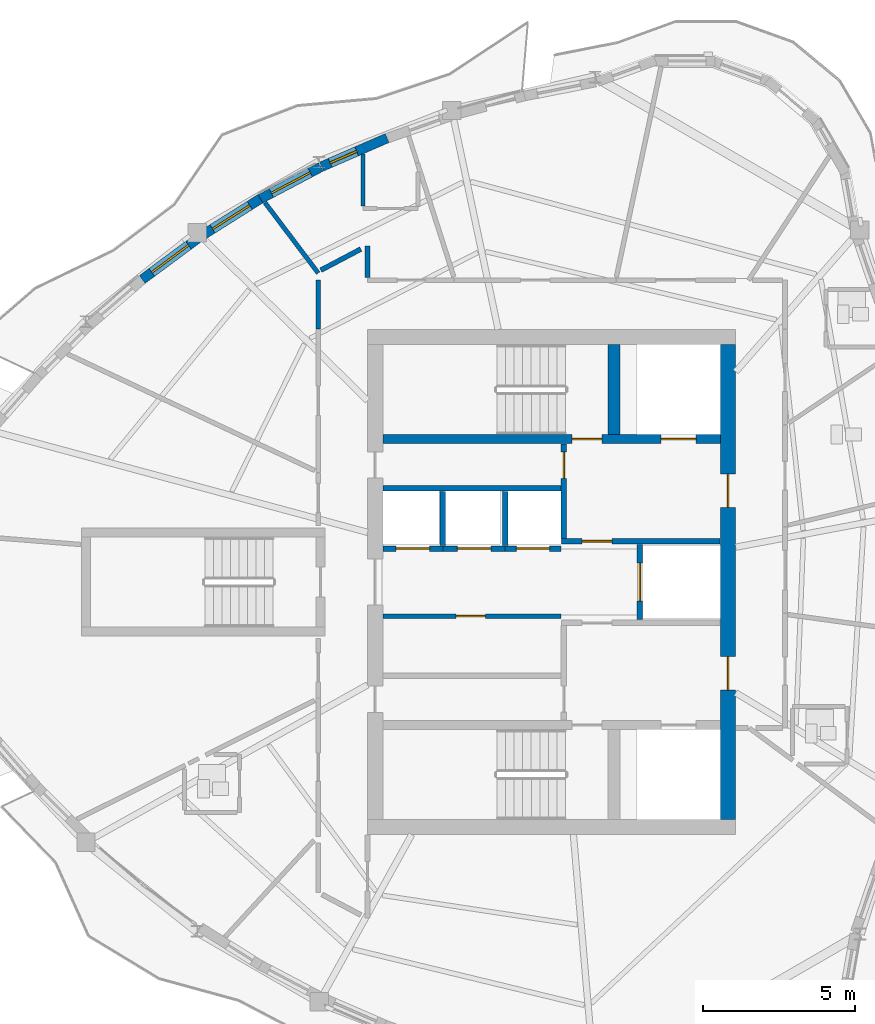
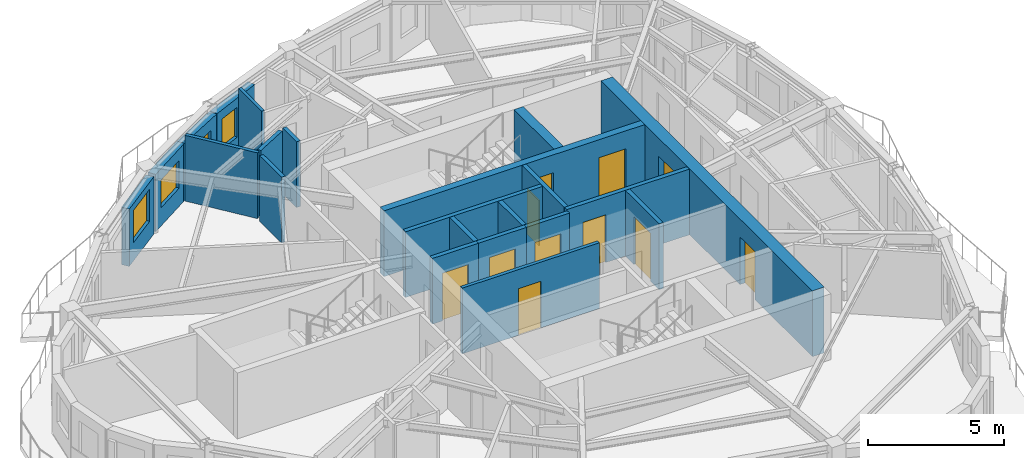
# One storey, part 7 of 13: 22 walls, 11 doors, 4 windows, 15 openings.
"""IFC4 building model written with IfcOpenShell, lengths in metres."""

from ifc_helpers import new_model, si_unit, direction, frame, frame_2d, origin, place, context, subcontext, project, spatial, rectangle, extrude, source, transform, mapped, material, layer, layer_set, type_object, element, fill, save


model = new_model("IFC4")

# Units and contexts
model_context = context("Model", 3, precision=1e-05, world=origin(), true_north=direction((0.0, 1.0)))
body_context = subcontext(model_context, "Body", "Model", "MODEL_VIEW")
ifc_project = project(units=[si_unit("LENGTHUNIT", "METRE"), si_unit("AREAUNIT", "SQUARE_METRE"), si_unit("VOLUMEUNIT", "CUBIC_METRE"), si_unit("PLANEANGLEUNIT", "RADIAN"), si_unit("MASSUNIT", "GRAM", prefix="KILO")], contexts=[model_context])

# Site, building, storey
site_placement = place(None, origin())
site = spatial("IfcSite", under=ifc_project, at=site_placement, CompositionType="ELEMENT")
building_placement = place(site_placement, origin())
building = spatial("IfcBuilding", under=site, at=building_placement, Name="Qafzar Sky-Pleat Residences", CompositionType="ELEMENT")
storey_placement = place(building_placement, frame((0.0, 0.0, 195.60009765625)))
storey = spatial("IfcBuildingStorey", under=building, at=storey_placement, Name="L58", CompositionType="ELEMENT", Elevation=195.60009765625)

# Walls
ifc_material_1 = material(Name="Acoustic gypsum plasterboard partition", Category="gypsum")
ifc_layer_1 = layer(ifc_material_1, 0.159912109375)
ifc_layer_set_1 = layer_set([ifc_layer_1], Name="Acoustic gypsum plasterboard partition")
wall_type_1 = type_object("IfcWallType", Name="PART-COR-160", PredefinedType="PARTITIONING", material=ifc_layer_set_1)
wall_1_placement = place(storey_placement, frame((22.679931640625, 34.31494140625, 0.0), z_axis=(0.0, 0.0, 1.0), x_axis=(0.0, 1.0, 0.0)))
element("IfcWall", 1, at=wall_1_placement, inside=storey, type_object=wall_type_1, Name="L58 Partition Wall PART-L58-PW-038", PredefinedType="PARTITIONING", context=body_context, shape_type="SweptSolid", body=[
    extrude(rectangle(XDim=1.60498046875, YDim=0.159912109375, at=frame_2d((0.802490234375, 0.0))), origin(), (0.0, 0.0, 1.0), 2.9599609375),
])
wall_2_placement = place(storey_placement, frame((22.763671875, 36.248046875, 0.0), z_axis=(0.0, 0.0, 1.0), x_axis=(0.884318813942, 0.466883535059, 0.0)))
element("IfcWall", 2, at=wall_2_placement, inside=storey, type_object=wall_type_1, Name="L58 Partition Wall PART-L58-PW-041", PredefinedType="PARTITIONING", context=body_context, shape_type="SweptSolid", body=[
    extrude(rectangle(XDim=1.486083984375, YDim=0.159912109375, at=frame_2d((0.7431640625, 0.0))), origin(), (0.0, 0.0, 1.0), 2.9599609375),
])
wall_3_placement = place(storey_placement, frame((24.300048828125, 36.008056640625, 0.0), z_axis=(0.0, 0.0, 1.0), x_axis=(0.0, 1.0, 0.0)))
element("IfcWall", 3, at=wall_3_placement, inside=storey, type_object=wall_type_1, Name="L58 Partition Wall PART-L58-PW-047", PredefinedType="PARTITIONING", context=body_context, shape_type="SweptSolid", body=[
    extrude(rectangle(XDim=1.031005859375, YDim=0.159912109375, at=frame_2d((0.515625, 0.0))), origin(), (0.0, 0.0, 1.0), 2.9599609375),
])

# Wall, opening, door
ifc_material_2 = material(Name="Concrete blockwork partition", Category="masonry")
ifc_layer_2 = layer(ifc_material_2, 0.179931640625)
ifc_layer_set_2 = layer_set([ifc_layer_2], Name="Concrete blockwork partition")
wall_type_2 = type_object("IfcWallType", Name="PART-SHAFT-180", PredefinedType="PARTITIONING", material=ifc_layer_set_2)
wall_4_placement = place(storey_placement, frame((30.75, 27.429931640625, 0.0), z_axis=(0.0, 0.0, 1.0), x_axis=(0.0, 1.0, 0.0)))
wall_4 = element("IfcWall", 4, at=wall_4_placement, inside=storey, type_object=wall_type_2, Name="L58 Partition Wall PART-L58-FFL2-W", PredefinedType="PARTITIONING", context=body_context, shape_type="SweptSolid", body=[
    extrude(rectangle(XDim=3.110107421875, YDim=0.179931640625, at=frame_2d((1.55517578125, 0.0))), origin(), (0.0, 0.0, 1.0), 2.9599609375),
])
opening_1_placement = place(wall_4_placement, frame((1.97998046875, 0.0, 0.0)))
opening_1 = element("IfcOpeningElement", 5, at=opening_1_placement, cuts=wall_4, Name="Opening ID-09", PredefinedType="OPENING", context=body_context, shape_type="SweptSolid", body=[
    extrude(rectangle(XDim=0.860107421875, YDim=2.050048828125, at=frame_2d((0.43017578125, 1.02490234375))), frame((0.0, 0.10009765625, 0.0), z_axis=(0.0, -1.0, 0.0), x_axis=(1.0, 0.0, 0.0)), (0.0, 0.0, 1.0), 0.199951171875),
])
ifc_material_3 = material(Name="Timber-faced fire door", Category="wood")
door_type_1 = type_object("IfcDoorType", Name="DR-SVC-860", OperationType="NOTDEFINED", PredefinedType="DOOR", material=ifc_material_3)
shared_shape_1 = source(origin(), body_context, "Body", "SweptSolid", [
    extrude(rectangle(XDim=0.860107421875, YDim=2.050048828125, at=frame_2d((0.43017578125, 1.02490234375))), frame((0.0, 0.02490234375, 0.0), z_axis=(0.0, -1.0, 0.0), x_axis=(1.0, 0.0, 0.0)), (0.0, 0.0, 1.0), 0.050048828125),
])
door_1_placement = place(opening_1_placement, origin())
door_1 = element("IfcDoor", 6, at=door_1_placement, inside=storey, type_object=door_type_1, Name="L58 North Core Cupboard Door", OperationType="SINGLE_SWING_LEFT", OverallHeight=2.050048828125, OverallWidth=0.860107421875, PredefinedType="DOOR", context=body_context, shape_type="MappedRepresentation", body=[
    mapped(shared_shape_1, transform((0.0, 0.0, 0.0), x_axis=(1.0, 0.0, 0.0), y_axis=(0.0, 1.0, 0.0), z_axis=(0.0, 0.0, 1.0), scale=1.0)),
])
fill(opening_1, door_1)

wall_5_placement = place(storey_placement, frame((30.669921875, 27.340087890625, 0.0), z_axis=(0.0, 0.0, 1.0), x_axis=(1.0, 0.0, 0.0)))
wall_5 = element("IfcWall", 7, at=wall_5_placement, inside=storey, type_object=wall_type_2, Name="L58 Partition Wall PART-L58-FFL2-S", PredefinedType="PARTITIONING", context=body_context, shape_type="SweptSolid", body=[
    extrude(rectangle(XDim=5.219970703125, YDim=0.179931640625, at=frame_2d((2.60986328125, 0.0))), origin(), (0.0, 0.0, 1.0), 2.9599609375),
])
opening_2_placement = place(wall_5_placement, frame((0.679931640625, 0.0, 0.0)))
opening_2 = element("IfcOpeningElement", 8, at=opening_2_placement, cuts=wall_5, Name="Opening ID-01", PredefinedType="OPENING", context=body_context, shape_type="SweptSolid", body=[
    extrude(rectangle(XDim=0.97998046875, YDim=2.14990234375, at=frame_2d((0.489990234375, 1.074951171875))), frame((0.0, 0.10009765625, 0.0), z_axis=(0.0, -1.0, 0.0), x_axis=(1.0, 0.0, 0.0)), (0.0, 0.0, 1.0), 0.199951171875),
])
door_type_2 = type_object("IfcDoorType", Name="DR-STAIR-980", OperationType="NOTDEFINED", PredefinedType="DOOR", material=ifc_material_3)
shared_shape_2 = source(origin(), body_context, "Body", "SweptSolid", [
    extrude(rectangle(XDim=0.97998046875, YDim=2.14990234375, at=frame_2d((0.489990234375, 1.074951171875))), frame((0.0, 0.02490234375, 0.0), z_axis=(0.0, -1.0, 0.0), x_axis=(1.0, 0.0, 0.0)), (0.0, 0.0, 1.0), 0.050048828125),
])
door_2_placement = place(opening_2_placement, origin())
door_2 = element("IfcDoor", 9, at=door_2_placement, inside=storey, type_object=door_type_2, Name="L58 Lift Lobby to North Firefighting Lobby Door", OperationType="SINGLE_SWING_RIGHT", OverallHeight=2.14990234375, OverallWidth=0.97998046875, PredefinedType="DOOR", context=body_context, shape_type="MappedRepresentation", body=[
    mapped(shared_shape_2, transform((0.0, 0.0, 0.0), x_axis=(1.0, 0.0, 0.0), y_axis=(0.0, 1.0, 0.0), z_axis=(0.0, 0.0, 1.0), scale=1.0)),
])
fill(opening_2, door_2)

wall_6_placement = place(storey_placement, frame((33.25, 24.760009765625, 0.0), z_axis=(0.0, 0.0, 1.0), x_axis=(0.0, 1.0, 0.0)))
wall_6 = element("IfcWall", 10, at=wall_6_placement, inside=storey, type_object=wall_type_2, Name="L58 Partition Wall PART-L58-SV1-W", PredefinedType="PARTITIONING", context=body_context, shape_type="SweptSolid", body=[
    extrude(rectangle(XDim=2.47998046875, YDim=0.179931640625, at=frame_2d((1.239990234375, 0.0))), origin(), (0.0, 0.0, 1.0), 2.9599609375),
])
opening_3_placement = place(wall_6_placement, frame((0.614990234375, 0.0, 0.0)))
opening_3 = element("IfcOpeningElement", 11, at=opening_3_placement, cuts=wall_6, Name="Opening LD-03", PredefinedType="OPENING", context=body_context, shape_type="SweptSolid", body=[
    extrude(rectangle(XDim=1.25, YDim=2.14990234375, at=frame_2d((0.625, 1.074951171875))), frame((0.0, 0.10009765625, 0.0), z_axis=(0.0, -1.0, 0.0), x_axis=(1.0, 0.0, 0.0)), (0.0, 0.0, 1.0), 0.199951171875),
])
ifc_material_4 = material(Name="Stainless steel sliding landing door", Category="steel")
door_type_3 = type_object("IfcDoorType", Name="DR-LIFT-SV", OperationType="DOUBLE_DOOR_SLIDING", PredefinedType="DOOR", material=ifc_material_4)
shared_shape_3 = source(origin(), body_context, "Body", "SweptSolid", [
    extrude(rectangle(XDim=1.25, YDim=2.14990234375, at=frame_2d((0.625, 1.074951171875))), frame((0.0, 0.02490234375, 0.0), z_axis=(0.0, -1.0, 0.0), x_axis=(1.0, 0.0, 0.0)), (0.0, 0.0, 1.0), 0.050048828125),
])
door_3_placement = place(opening_3_placement, origin())
door_3 = element("IfcDoor", 12, at=door_3_placement, inside=storey, type_object=door_type_3, Name="L58 Service Lift SV1 Landing Door", OperationType="DOUBLE_DOOR_SLIDING", OverallHeight=2.14990234375, OverallWidth=1.25, PredefinedType="DOOR", context=body_context, shape_type="MappedRepresentation", body=[
    mapped(shared_shape_3, transform((0.0, 0.0, 0.0), x_axis=(1.0, 0.0, 0.0), y_axis=(0.0, 1.0, 0.0), z_axis=(0.0, 0.0, 1.0), scale=1.0)),
])
fill(opening_3, door_3)

# Wall
wall_7_placement = place(storey_placement, frame((24.81005859375, 29.080078125, 0.0), z_axis=(0.0, 0.0, 1.0), x_axis=(1.0, 0.0, 0.0)))
element("IfcWall", 13, at=wall_7_placement, inside=storey, type_object=wall_type_2, Name="L58 Partition Wall PART-L58-P46-N", PredefinedType="PARTITIONING", context=body_context, shape_type="SweptSolid", body=[
    extrude(rectangle(XDim=5.83984375, YDim=0.179931640625, at=frame_2d((2.919921875, 0.0))), origin(), (0.0, 0.0, 1.0), 2.9599609375),
])

# Wall, opening, door
wall_8_placement = place(storey_placement, frame((24.81005859375, 27.10009765625, 0.0), z_axis=(0.0, 0.0, 1.0), x_axis=(1.0, 0.0, 0.0)))
wall_8 = element("IfcWall", 14, at=wall_8_placement, inside=storey, type_object=wall_type_2, Name="L58 Partition Wall PART-L58-P4-S", PredefinedType="PARTITIONING", context=body_context, shape_type="SweptSolid", body=[
    extrude(rectangle(XDim=1.96484375, YDim=0.179931640625, at=frame_2d((0.982421875, 0.0))), origin(), (0.0, 0.0, 1.0), 2.9599609375),
])
opening_4_placement = place(wall_8_placement, frame((0.4326171875, 0.0, 0.0)))
opening_4 = element("IfcOpeningElement", 15, at=opening_4_placement, cuts=wall_8, Name="Opening LD-01", PredefinedType="OPENING", context=body_context, shape_type="SweptSolid", body=[
    extrude(rectangle(XDim=1.10009765625, YDim=2.14990234375, at=frame_2d((0.550048828125, 1.074951171875))), frame((0.0, 0.10009765625, 0.0), z_axis=(0.0, -1.0, 0.0), x_axis=(1.0, 0.0, 0.0)), (0.0, 0.0, 1.0), 0.199951171875),
])
door_type_4 = type_object("IfcDoorType", Name="DR-LIFT-P", OperationType="DOUBLE_DOOR_SLIDING", PredefinedType="DOOR", material=ifc_material_4)
shared_shape_4 = source(origin(), body_context, "Body", "SweptSolid", [
    extrude(rectangle(XDim=1.10009765625, YDim=2.14990234375, at=frame_2d((0.550048828125, 1.074951171875))), frame((0.0, 0.02490234375, 0.0), z_axis=(0.0, -1.0, 0.0), x_axis=(1.0, 0.0, 0.0)), (0.0, 0.0, 1.0), 0.050048828125),
])
door_4_placement = place(opening_4_placement, origin())
door_4 = element("IfcDoor", 16, at=door_4_placement, inside=storey, type_object=door_type_4, Name="L58 Passenger Lift P4 Landing Door", OperationType="DOUBLE_DOOR_SLIDING", OverallHeight=2.14990234375, OverallWidth=1.10009765625, PredefinedType="DOOR", context=body_context, shape_type="MappedRepresentation", body=[
    mapped(shared_shape_4, transform((0.0, 0.0, 0.0), x_axis=(1.0, 0.0, 0.0), y_axis=(0.0, 1.0, 0.0), z_axis=(0.0, 0.0, 1.0), scale=1.0)),
])
fill(opening_4, door_4)

wall_9_placement = place(storey_placement, frame((26.77490234375, 27.10009765625, 0.0), z_axis=(0.0, 0.0, 1.0), x_axis=(1.0, 0.0, 0.0)))
wall_9 = element("IfcWall", 17, at=wall_9_placement, inside=storey, type_object=wall_type_2, Name="L58 Partition Wall PART-L58-P5-S", PredefinedType="PARTITIONING", context=body_context, shape_type="SweptSolid", body=[
    extrude(rectangle(XDim=2.050048828125, YDim=0.179931640625, at=frame_2d((1.02490234375, 0.0))), origin(), (0.0, 0.0, 1.0), 2.9599609375),
])
opening_5_placement = place(wall_9_placement, frame((0.47509765625, 0.0, 0.0)))
opening_5 = element("IfcOpeningElement", 18, at=opening_5_placement, cuts=wall_9, Name="Opening LD-01", PredefinedType="OPENING", context=body_context, shape_type="SweptSolid", body=[
    extrude(rectangle(XDim=1.10009765625, YDim=2.14990234375, at=frame_2d((0.550048828125, 1.074951171875))), frame((0.0, 0.10009765625, 0.0), z_axis=(0.0, -1.0, 0.0), x_axis=(1.0, 0.0, 0.0)), (0.0, 0.0, 1.0), 0.199951171875),
])
door_5_placement = place(opening_5_placement, origin())
door_5 = element("IfcDoor", 19, at=door_5_placement, inside=storey, type_object=door_type_4, Name="L58 Passenger Lift P5 Landing Door", OperationType="DOUBLE_DOOR_SLIDING", OverallHeight=2.14990234375, OverallWidth=1.10009765625, PredefinedType="DOOR", context=body_context, shape_type="MappedRepresentation", body=[
    mapped(shared_shape_4, transform((0.0, 0.0, 0.0), x_axis=(1.0, 0.0, 0.0), y_axis=(0.0, 1.0, 0.0), z_axis=(0.0, 0.0, 1.0), scale=1.0)),
])
fill(opening_5, door_5)

# Wall
wall_10_placement = place(storey_placement, frame((26.77490234375, 27.199951171875, 0.0), z_axis=(0.0, 0.0, 1.0), x_axis=(0.0, 1.0, 0.0)))
element("IfcWall", 20, at=wall_10_placement, inside=storey, type_object=wall_type_2, Name="L58 Partition Wall PART-L58-P46-DIV-1", PredefinedType="PARTITIONING", context=body_context, shape_type="SweptSolid", body=[
    extrude(rectangle(XDim=1.780029296875, YDim=0.179931640625, at=frame_2d((0.89013671875, 0.0))), origin(), (0.0, 0.0, 1.0), 2.9599609375),
])

# Wall, opening, door
wall_11_placement = place(storey_placement, frame((28.824951171875, 27.10009765625, 0.0), z_axis=(0.0, 0.0, 1.0), x_axis=(1.0, 0.0, 0.0)))
wall_11 = element("IfcWall", 21, at=wall_11_placement, inside=storey, type_object=wall_type_2, Name="L58 Partition Wall PART-L58-P6-S", PredefinedType="PARTITIONING", context=body_context, shape_type="SweptSolid", body=[
    extrude(rectangle(XDim=1.824951171875, YDim=0.179931640625, at=frame_2d((0.91259765625, 0.0))), origin(), (0.0, 0.0, 1.0), 2.9599609375),
])
opening_6_placement = place(wall_11_placement, frame((0.362548828125, 0.0, 0.0)))
opening_6 = element("IfcOpeningElement", 22, at=opening_6_placement, cuts=wall_11, Name="Opening LD-01", PredefinedType="OPENING", context=body_context, shape_type="SweptSolid", body=[
    extrude(rectangle(XDim=1.10009765625, YDim=2.14990234375, at=frame_2d((0.550048828125, 1.074951171875))), frame((0.0, 0.10009765625, 0.0), z_axis=(0.0, -1.0, 0.0), x_axis=(1.0, 0.0, 0.0)), (0.0, 0.0, 1.0), 0.199951171875),
])
door_6_placement = place(opening_6_placement, origin())
door_6 = element("IfcDoor", 23, at=door_6_placement, inside=storey, type_object=door_type_4, Name="L58 Passenger Lift P6 Landing Door", OperationType="DOUBLE_DOOR_SLIDING", OverallHeight=2.14990234375, OverallWidth=1.10009765625, PredefinedType="DOOR", context=body_context, shape_type="MappedRepresentation", body=[
    mapped(shared_shape_4, transform((0.0, 0.0, 0.0), x_axis=(1.0, 0.0, 0.0), y_axis=(0.0, 1.0, 0.0), z_axis=(0.0, 0.0, 1.0), scale=1.0)),
])
fill(opening_6, door_6)

# Wall
wall_12_placement = place(storey_placement, frame((28.824951171875, 27.199951171875, 0.0), z_axis=(0.0, 0.0, 1.0), x_axis=(0.0, 1.0, 0.0)))
element("IfcWall", 24, at=wall_12_placement, inside=storey, type_object=wall_type_2, Name="L58 Partition Wall PART-L58-P46-DIV-2", PredefinedType="PARTITIONING", context=body_context, shape_type="SweptSolid", body=[
    extrude(rectangle(XDim=1.780029296875, YDim=0.179931640625, at=frame_2d((0.89013671875, 0.0))), origin(), (0.0, 0.0, 1.0), 2.9599609375),
])

# Wall, opening, door
ifc_layer_3 = layer(ifc_material_1, 0.14501953125)
ifc_layer_set_3 = layer_set([ifc_layer_3], Name="Acoustic gypsum plasterboard partition")
wall_type_3 = type_object("IfcWallType", Name="PART-UNIT-145", PredefinedType="PARTITIONING", material=ifc_layer_set_3)
wall_13_placement = place(storey_placement, frame((24.81005859375, 24.8798828125, 0.0), z_axis=(0.0, 0.0, 1.0), x_axis=(1.0, 0.0, 0.0)))
wall_13 = element("IfcWall", 25, at=wall_13_placement, inside=storey, type_object=wall_type_3, Name="L58 Partition Wall PART-L58-RECLAIM-N", PredefinedType="PARTITIONING", context=body_context, shape_type="SweptSolid", body=[
    extrude(rectangle(XDim=5.83984375, YDim=0.14501953125, at=frame_2d((2.919921875, 0.0))), origin(), (0.0, 0.0, 1.0), 2.9599609375),
])
opening_7_placement = place(wall_13_placement, frame((2.39990234375, 0.0, 0.0)))
opening_7 = element("IfcOpeningElement", 26, at=opening_7_placement, cuts=wall_13, Name="Opening ID-06", PredefinedType="OPENING", context=body_context, shape_type="SweptSolid", body=[
    extrude(rectangle(XDim=0.9599609375, YDim=2.10009765625, at=frame_2d((0.47998046875, 1.050048828125))), frame((0.0, 0.08251953125, 0.0), z_axis=(0.0, -1.0, 0.0), x_axis=(1.0, 0.0, 0.0)), (0.0, 0.0, 1.0), 0.1650390625),
])
door_type_5 = type_object("IfcDoorType", Name="DR-STD-960", OperationType="NOTDEFINED", PredefinedType="DOOR", material=ifc_material_3)
shared_shape_5 = source(origin(), body_context, "Body", "SweptSolid", [
    extrude(rectangle(XDim=0.9599609375, YDim=2.10009765625, at=frame_2d((0.47998046875, 1.050048828125))), frame((0.0, 0.02490234375, 0.0), z_axis=(0.0, -1.0, 0.0), x_axis=(1.0, 0.0, 0.0)), (0.0, 0.0, 1.0), 0.050048828125),
])
door_7_placement = place(opening_7_placement, origin())
door_7 = element("IfcDoor", 27, at=door_7_placement, inside=storey, type_object=door_type_5, Name="L58 Reclaimed Resident Laundry Room Door", OperationType="SINGLE_SWING_LEFT", OverallHeight=2.10009765625, OverallWidth=0.9599609375, PredefinedType="DOOR", context=body_context, shape_type="MappedRepresentation", body=[
    mapped(shared_shape_5, transform((0.0, 0.0, 0.0), x_axis=(1.0, 0.0, 0.0), y_axis=(0.0, 1.0, 0.0), z_axis=(0.0, 0.0, 1.0), scale=1.0)),
])
fill(opening_7, door_7)

# Walls
wall_14_placement = place(storey_placement, frame((20.928955078125, 38.469482421875, 0.0), z_axis=(0.0, 0.0, 1.0), x_axis=(0.602847358209, -0.797856542682, 0.0)))
element("IfcWall", 28, at=wall_14_placement, inside=storey, type_object=wall_type_3, Name="L58 Partition Wall PART-L58-PW-029", PredefinedType="PARTITIONING", context=body_context, shape_type="SweptSolid", body=[
    extrude(rectangle(XDim=2.904541015625, YDim=0.14501953125, at=frame_2d((1.4521484375, 0.0))), origin(), (0.0, 0.0, 1.0), 2.9599609375),
])
ifc_material_5 = material(Name="Moisture-resistant gypsum partition", Category="gypsum")
ifc_layer_4 = layer(ifc_material_5, 0.1298828125)
ifc_layer_set_4 = layer_set([ifc_layer_4], Name="Moisture-resistant gypsum partition")
wall_type_4 = type_object("IfcWallType", Name="PART-WET-130", PredefinedType="PARTITIONING", material=ifc_layer_set_4)
wall_15_placement = place(storey_placement, frame((24.154052734375, 38.35498046875, 0.0), z_axis=(0.0, 0.0, 1.0), x_axis=(0.0, 1.0, 0.0)))
element("IfcWall", 29, at=wall_15_placement, inside=storey, type_object=wall_type_4, Name="L58 Partition Wall PART-L58-PW-031", PredefinedType="PARTITIONING", context=body_context, shape_type="SweptSolid", body=[
    extrude(rectangle(XDim=1.705078125, YDim=0.1298828125, at=frame_2d((0.8525390625, 0.0))), origin(), (0.0, 0.0, 1.0), 2.9599609375),
])

# Wall, opening, window
ifc_material_6 = material(Name="Precast concrete C40/50 with honed Riyadh limestone", Category="concrete")
ifc_layer_5 = layer(ifc_material_6, 0.320068359375)
ifc_layer_set_5 = layer_set([ifc_layer_5], Name="Precast concrete C40/50 with honed Riyadh limestone")
wall_type_5 = type_object("IfcWallType", Name="WALL-EXT-320", PredefinedType="SOLIDWALL", material=ifc_layer_set_5)
wall_16_placement = place(storey_placement, frame((24.943359375, 40.589599609375, 0.0), z_axis=(0.0, 0.0, 1.0), x_axis=(-0.917071710038, -0.398722307688, 0.0)))
wall_16 = element("IfcWall", 30, at=wall_16_placement, inside=storey, type_object=wall_type_5, Name="L58 Limestone Facade Wall 42", PredefinedType="SOLIDWALL", context=body_context, shape_type="SweptSolid", body=[
    extrude(rectangle(XDim=2.346923828125, YDim=0.320068359375, at=frame_2d((1.17333984375, 0.0))), origin(), (0.0, 0.0, 1.0), 2.579833984375),
])
opening_8_placement = place(wall_16_placement, frame((1.09130859375, 0.0, 0.820068359375)))
opening_8 = element("IfcOpeningElement", 31, at=opening_8_placement, cuts=wall_16, Name="Opening WN-12", PredefinedType="OPENING", context=body_context, shape_type="SweptSolid", body=[
    extrude(rectangle(XDim=0.949951171875, YDim=1.35009765625, at=frame_2d((0.47509765625, 0.675048828125))), frame((0.0, 0.169921875, 0.0), z_axis=(0.0, -1.0, 0.0), x_axis=(1.0, 0.0, 0.0)), (0.0, 0.0, 1.0), 0.340087890625),
])
ifc_material_7 = material(Name="Solar-control low-E glass in bronze aluminium frame", Category="glass")
window_type_1 = type_object("IfcWindowType", Name="WIN-12", PartitioningType="SINGLE_PANEL", PredefinedType="WINDOW", material=ifc_material_7)
shared_shape_6 = source(origin(), body_context, "Body", "SweptSolid", [
    extrude(rectangle(XDim=0.949951171875, YDim=1.35009765625, at=frame_2d((0.47509765625, 0.675048828125))), frame((0.0, 0.030029296875, 0.0), z_axis=(0.0, -1.0, 0.0), x_axis=(1.0, 0.0, 0.0)), (0.0, 0.0, 1.0), 0.06005859375),
])
window_1_placement = place(opening_8_placement, origin())
window_1 = element("IfcWindow", 32, at=window_1_placement, inside=storey, type_object=window_type_1, Name="L58 Punched Facade Window 42-2", OverallHeight=1.35009765625, OverallWidth=0.949951171875, PartitioningType="SINGLE_PANEL", PredefinedType="WINDOW", context=body_context, shape_type="MappedRepresentation", body=[
    mapped(shared_shape_6, transform((0.0, 0.0, 0.0), x_axis=(1.0, 0.0, 0.0), y_axis=(0.0, 1.0, 0.0), z_axis=(0.0, 0.0, 1.0), scale=1.0)),
])
fill(opening_8, window_1)

wall_17_placement = place(storey_placement, frame((22.765869140625, 39.641845703125, 0.0), z_axis=(0.0, 0.0, 1.0), x_axis=(-0.884377555637, -0.466772256122, 0.0)))
wall_17 = element("IfcWall", 33, at=wall_17_placement, inside=storey, type_object=wall_type_5, Name="L58 Limestone Facade Wall 43", PredefinedType="SOLIDWALL", context=body_context, shape_type="SweptSolid", body=[
    extrude(rectangle(XDim=2.333740234375, YDim=0.320068359375, at=frame_2d((1.1669921875, 0.0))), origin(), (0.0, 0.0, 1.0), 2.579833984375),
])
opening_9_placement = place(wall_17_placement, frame((0.393310546875, 0.0, 0.820068359375)))
opening_9 = element("IfcOpeningElement", 34, at=opening_9_placement, cuts=wall_17, Name="Opening WN-15", PredefinedType="OPENING", context=body_context, shape_type="SweptSolid", body=[
    extrude(rectangle(XDim=1.449951171875, YDim=1.25, at=frame_2d((0.72509765625, 0.625))), frame((0.0, 0.169921875, 0.0), z_axis=(0.0, -1.0, 0.0), x_axis=(1.0, 0.0, 0.0)), (0.0, 0.0, 1.0), 0.340087890625),
])
window_type_2 = type_object("IfcWindowType", Name="WIN-15", PartitioningType="SINGLE_PANEL", PredefinedType="WINDOW", material=ifc_material_7)
shared_shape_7 = source(origin(), body_context, "Body", "SweptSolid", [
    extrude(rectangle(XDim=1.449951171875, YDim=1.25, at=frame_2d((0.72509765625, 0.625))), frame((0.0, 0.030029296875, 0.0), z_axis=(0.0, -1.0, 0.0), x_axis=(1.0, 0.0, 0.0)), (0.0, 0.0, 1.0), 0.06005859375),
])
window_2_placement = place(opening_9_placement, origin())
window_2 = element("IfcWindow", 35, at=window_2_placement, inside=storey, type_object=window_type_2, Name="L58 Punched Facade Window 43", OverallHeight=1.25, OverallWidth=1.449951171875, PartitioningType="SINGLE_PANEL", PredefinedType="WINDOW", context=body_context, shape_type="MappedRepresentation", body=[
    mapped(shared_shape_7, transform((0.0, 0.0, 0.0), x_axis=(1.0, 0.0, 0.0), y_axis=(0.0, 1.0, 0.0), z_axis=(0.0, 0.0, 1.0), scale=1.0)),
])
fill(opening_9, window_2)

wall_18_placement = place(storey_placement, frame((20.7783203125, 38.5966796875, 0.0), z_axis=(0.0, 0.0, 1.0), x_axis=(-0.84639489148, -0.532555807101, 0.0)))
wall_18 = element("IfcWall", 36, at=wall_18_placement, inside=storey, type_object=wall_type_5, Name="L58 Limestone Facade Wall 44", PredefinedType="SOLIDWALL", context=body_context, shape_type="SweptSolid", body=[
    extrude(rectangle(XDim=2.263671875, YDim=0.320068359375, at=frame_2d((1.1318359375, 0.0))), origin(), (0.0, 0.0, 1.0), 2.579833984375),
])
opening_10_placement = place(wall_18_placement, frame((0.411865234375, 0.0, 0.820068359375)))
opening_10 = element("IfcOpeningElement", 37, at=opening_10_placement, cuts=wall_18, Name="Opening WN-15", PredefinedType="OPENING", context=body_context, shape_type="SweptSolid", body=[
    extrude(rectangle(XDim=1.449951171875, YDim=1.25, at=frame_2d((0.72509765625, 0.625))), frame((0.0, 0.169921875, 0.0), z_axis=(0.0, -1.0, 0.0), x_axis=(1.0, 0.0, 0.0)), (0.0, 0.0, 1.0), 0.340087890625),
])
window_3_placement = place(opening_10_placement, origin())
window_3 = element("IfcWindow", 38, at=window_3_placement, inside=storey, type_object=window_type_2, Name="L58 Punched Facade Window 44", OverallHeight=1.25, OverallWidth=1.449951171875, PartitioningType="SINGLE_PANEL", PredefinedType="WINDOW", context=body_context, shape_type="MappedRepresentation", body=[
    mapped(shared_shape_7, transform((0.0, 0.0, 0.0), x_axis=(1.0, 0.0, 0.0), y_axis=(0.0, 1.0, 0.0), z_axis=(0.0, 0.0, 1.0), scale=1.0)),
])
fill(opening_10, window_3)

wall_19_placement = place(storey_placement, frame((18.7236328125, 37.29638671875, 0.0), z_axis=(0.0, 0.0, 1.0), x_axis=(-0.803830620004, -0.59485824727, 0.0)))
wall_19 = element("IfcWall", 39, at=wall_19_placement, inside=storey, type_object=wall_type_5, Name="L58 Limestone Facade Wall 45", PredefinedType="SOLIDWALL", context=body_context, shape_type="SweptSolid", body=[
    extrude(rectangle(XDim=2.277099609375, YDim=0.320068359375, at=frame_2d((1.138671875, 0.0))), origin(), (0.0, 0.0, 1.0), 2.579833984375),
])
opening_11_placement = place(wall_19_placement, frame((0.383544921875, 0.0, 0.820068359375)))
opening_11 = element("IfcOpeningElement", 40, at=opening_11_placement, cuts=wall_19, Name="Opening WN-03", PredefinedType="OPENING", context=body_context, shape_type="SweptSolid", body=[
    extrude(rectangle(XDim=1.5, YDim=1.449951171875, at=frame_2d((0.75, 0.72509765625))), frame((0.0, 0.169921875, 0.0), z_axis=(0.0, -1.0, 0.0), x_axis=(1.0, 0.0, 0.0)), (0.0, 0.0, 1.0), 0.340087890625),
])
window_type_3 = type_object("IfcWindowType", Name="WIN-03", PartitioningType="DOUBLE_PANEL_VERTICAL", PredefinedType="WINDOW", material=ifc_material_7)
shared_shape_8 = source(origin(), body_context, "Body", "SweptSolid", [
    extrude(rectangle(XDim=1.5, YDim=1.449951171875, at=frame_2d((0.75, 0.72509765625))), frame((0.0, 0.030029296875, 0.0), z_axis=(0.0, -1.0, 0.0), x_axis=(1.0, 0.0, 0.0)), (0.0, 0.0, 1.0), 0.06005859375),
])
window_4_placement = place(opening_11_placement, origin())
window_4 = element("IfcWindow", 41, at=window_4_placement, inside=storey, type_object=window_type_3, Name="L58 Punched Facade Window 45", OverallHeight=1.449951171875, OverallWidth=1.5, PartitioningType="SINGLE_PANEL", PredefinedType="WINDOW", context=body_context, shape_type="MappedRepresentation", body=[
    mapped(shared_shape_8, transform((0.0, 0.0, 0.0), x_axis=(1.0, 0.0, 0.0), y_axis=(0.0, 1.0, 0.0), z_axis=(0.0, 0.0, 1.0), scale=1.0)),
])
fill(opening_11, window_4)

# Wall, openings, doors
ifc_material_8 = material(Name="Concrete C60/75", Category="concrete")
ifc_layer_6 = layer(ifc_material_8, 0.300048828125)
ifc_layer_set_6 = layer_set([ifc_layer_6], Name="Concrete C60/75")
wall_type_6 = type_object("IfcWallType", Name="WALL-SHEAR-300", PredefinedType="SHEAR", material=ifc_layer_set_6)
wall_20_placement = place(storey_placement, frame((24.800048828125, 30.699951171875, 0.0), z_axis=(0.0, 0.0, 1.0), x_axis=(1.0, 0.0, 0.0)))
wall_20 = element("IfcWall", 42, at=wall_20_placement, inside=storey, type_object=wall_type_6, Name="L58 Stair ST2 and FF2 Shaft South Wall", PredefinedType="SHEAR", context=body_context, shape_type="SweptSolid", body=[
    extrude(rectangle(XDim=11.099853515625, YDim=0.300048828125, at=frame_2d((5.5498046875, 0.0))), origin(), (0.0, 0.0, 1.0), 2.9599609375),
])
opening_12_placement = place(wall_20_placement, frame((6.219970703125, 0.0, 0.0)))
opening_12 = element("IfcOpeningElement", 43, at=opening_12_placement, cuts=wall_20, Name="Opening ID-01", PredefinedType="OPENING", context=body_context, shape_type="SweptSolid", body=[
    extrude(rectangle(XDim=0.97998046875, YDim=2.14990234375, at=frame_2d((0.489990234375, 1.074951171875))), frame((0.0, 0.16015625, 0.0), z_axis=(0.0, -1.0, 0.0), x_axis=(1.0, 0.0, 0.0)), (0.0, 0.0, 1.0), 0.320068359375),
])
opening_13_placement = place(wall_20_placement, frame((9.14990234375, 0.0, 0.0)))
opening_13 = element("IfcOpeningElement", 44, at=opening_13_placement, cuts=wall_20, Name="Opening LD-02", PredefinedType="OPENING", context=body_context, shape_type="SweptSolid", body=[
    extrude(rectangle(XDim=1.14990234375, YDim=2.14990234375, at=frame_2d((0.574951171875, 1.074951171875))), frame((0.0, 0.16015625, 0.0), z_axis=(0.0, -1.0, 0.0), x_axis=(1.0, 0.0, 0.0)), (0.0, 0.0, 1.0), 0.320068359375),
])
door_8_placement = place(opening_12_placement, origin())
door_8 = element("IfcDoor", 45, at=door_8_placement, inside=storey, type_object=door_type_2, Name="L58 Stair ST2 Fire Door", OperationType="SINGLE_SWING_LEFT", OverallHeight=2.14990234375, OverallWidth=0.97998046875, PredefinedType="DOOR", context=body_context, shape_type="MappedRepresentation", body=[
    mapped(shared_shape_2, transform((0.0, 0.0, 0.0), x_axis=(1.0, 0.0, 0.0), y_axis=(0.0, 1.0, 0.0), z_axis=(0.0, 0.0, 1.0), scale=1.0)),
])
fill(opening_12, door_8)
door_type_6 = type_object("IfcDoorType", Name="DR-LIFT-FF", OperationType="DOUBLE_DOOR_SLIDING", PredefinedType="DOOR", material=ifc_material_4)
shared_shape_9 = source(origin(), body_context, "Body", "SweptSolid", [
    extrude(rectangle(XDim=1.14990234375, YDim=2.14990234375, at=frame_2d((0.574951171875, 1.074951171875))), frame((0.0, 0.02490234375, 0.0), z_axis=(0.0, -1.0, 0.0), x_axis=(1.0, 0.0, 0.0)), (0.0, 0.0, 1.0), 0.050048828125),
])
door_9_placement = place(opening_13_placement, origin())
door_9 = element("IfcDoor", 46, at=door_9_placement, inside=storey, type_object=door_type_6, Name="L58 Firefighting Lift FF2 Landing Door", OperationType="DOUBLE_DOOR_SLIDING", OverallHeight=2.14990234375, OverallWidth=1.14990234375, PredefinedType="DOOR", context=body_context, shape_type="MappedRepresentation", body=[
    mapped(shared_shape_9, transform((0.0, 0.0, 0.0), x_axis=(1.0, 0.0, 0.0), y_axis=(0.0, 1.0, 0.0), z_axis=(0.0, 0.0, 1.0), scale=1.0)),
])
fill(opening_13, door_9)

# Wall
ifc_layer_7 = layer(ifc_material_8, 0.39990234375)
ifc_layer_set_7 = layer_set([ifc_layer_7], Name="Concrete C60/75")
wall_type_7 = type_object("IfcWallType", Name="WALL-SHEAR-400", PredefinedType="SHEAR", material=ifc_layer_set_7)
wall_21_placement = place(storey_placement, frame((32.39990234375, 30.85009765625, 0.0), z_axis=(0.0, 0.0, 1.0), x_axis=(0.0, 1.0, 0.0)))
element("IfcWall", 47, at=wall_21_placement, inside=storey, type_object=wall_type_7, Name="L58 Stair ST2 East Dividing Wall", PredefinedType="SHEAR", context=body_context, shape_type="SweptSolid", body=[
    extrude(rectangle(XDim=2.949951171875, YDim=0.39990234375, at=frame_2d((1.47509765625, 0.0))), origin(), (0.0, 0.0, 1.0), 2.9599609375),
])

# Wall, openings, doors
ifc_layer_8 = layer(ifc_material_8, 0.5)
ifc_layer_set_8 = layer_set([ifc_layer_8], Name="Concrete C60/75")
wall_type_8 = type_object("IfcWallType", Name="WALL-SHEAR-500", PredefinedType="SHEAR", material=ifc_layer_set_8)
wall_22_placement = place(storey_placement, frame((36.14990234375, 18.199951171875, 0.0), z_axis=(0.0, 0.0, 1.0), x_axis=(0.0, 1.0, 0.0)))
wall_22 = element("IfcWall", 48, at=wall_22_placement, inside=storey, type_object=wall_type_8, Name="L58 CORE wall E", PredefinedType="SHEAR", context=body_context, shape_type="SweptSolid", body=[
    extrude(rectangle(XDim=15.60009765625, YDim=0.5, at=frame_2d((7.800048828125, 0.0))), origin(), (0.0, 0.0, 1.0), 2.9599609375),
])
opening_14_placement = place(wall_22_placement, frame((4.25, 0.0, 0.0)))
opening_14 = element("IfcOpeningElement", 49, at=opening_14_placement, cuts=wall_22, Name="Opening ID-02", PredefinedType="OPENING", context=body_context, shape_type="SweptSolid", body=[
    extrude(rectangle(XDim=1.10009765625, YDim=2.14990234375, at=frame_2d((0.550048828125, 1.074951171875))), frame((0.0, 0.260009765625, 0.0), z_axis=(0.0, -1.0, 0.0), x_axis=(1.0, 0.0, 0.0)), (0.0, 0.0, 1.0), 0.52001953125),
])
opening_15_placement = place(wall_22_placement, frame((10.25, 0.0, 0.0)))
opening_15 = element("IfcOpeningElement", 50, at=opening_15_placement, cuts=wall_22, Name="Opening ID-02", PredefinedType="OPENING", context=body_context, shape_type="SweptSolid", body=[
    extrude(rectangle(XDim=1.10009765625, YDim=2.14990234375, at=frame_2d((0.550048828125, 1.074951171875))), frame((0.0, 0.260009765625, 0.0), z_axis=(0.0, -1.0, 0.0), x_axis=(1.0, 0.0, 0.0)), (0.0, 0.0, 1.0), 0.52001953125),
])
door_type_7 = type_object("IfcDoorType", Name="DR-FFL-1100", OperationType="NOTDEFINED", PredefinedType="DOOR", material=ifc_material_3)
door_10_placement = place(opening_14_placement, origin())
door_10 = element("IfcDoor", 51, at=door_10_placement, inside=storey, type_object=door_type_7, Name="L58 Firefighting Lobby South Corridor Door", OperationType="SINGLE_SWING_LEFT", OverallHeight=2.14990234375, OverallWidth=1.10009765625, PredefinedType="DOOR", context=body_context, shape_type="MappedRepresentation", body=[
    mapped(shared_shape_4, transform((0.0, 0.0, 0.0), x_axis=(1.0, 0.0, 0.0), y_axis=(0.0, 1.0, 0.0), z_axis=(0.0, 0.0, 1.0), scale=1.0)),
])
fill(opening_14, door_10)
door_11_placement = place(opening_15_placement, origin())
door_11 = element("IfcDoor", 52, at=door_11_placement, inside=storey, type_object=door_type_7, Name="L58 Firefighting Lobby North Corridor Door", OperationType="SINGLE_SWING_RIGHT", OverallHeight=2.14990234375, OverallWidth=1.10009765625, PredefinedType="DOOR", context=body_context, shape_type="MappedRepresentation", body=[
    mapped(shared_shape_4, transform((0.0, 0.0, 0.0), x_axis=(1.0, 0.0, 0.0), y_axis=(0.0, 1.0, 0.0), z_axis=(0.0, 0.0, 1.0), scale=1.0)),
])
fill(opening_15, door_11)

save(model, "model.ifc")
